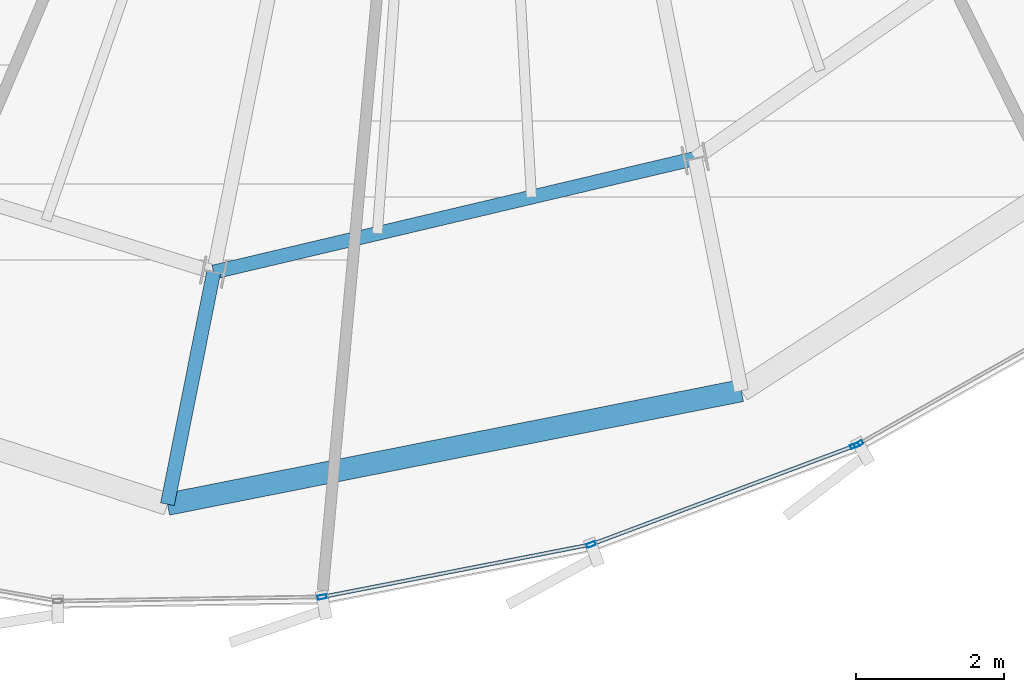
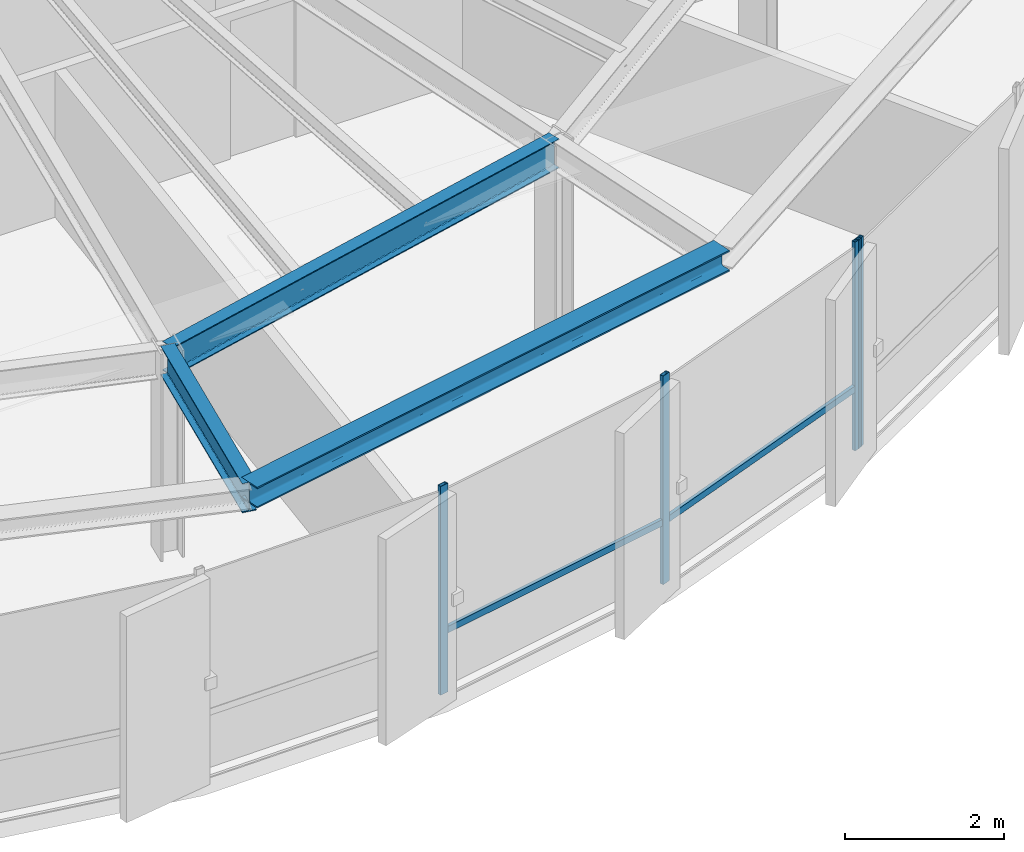
# One storey, part 6 of 33: 6 members, 3 beams, 2 elements without a shape of their own.
"""IFC4 building model written with IfcOpenShell, lengths in metres."""

from ifc_helpers import new_model, si_unit, direction, frame, origin, origin_2d, place, context, subcontext, project, spatial, hollow_rectangle, i_section, extrude, source, transform, mapped, material, layer, layer_set, material_profile, profile_set, type_object, element, aggregate, save


model = new_model("IFC4")

# Units and contexts
model_context = context("Model", 3, precision=1e-05, world=origin(), true_north=direction((0.0, 1.0)))
body_context = subcontext(model_context, "Body", "Model", "MODEL_VIEW")
ifc_project = project(units=[si_unit("LENGTHUNIT", "METRE"), si_unit("AREAUNIT", "SQUARE_METRE"), si_unit("VOLUMEUNIT", "CUBIC_METRE"), si_unit("PLANEANGLEUNIT", "RADIAN"), si_unit("MASSUNIT", "GRAM", prefix="KILO"), si_unit("THERMODYNAMICTEMPERATUREUNIT", "KELVIN")], contexts=[model_context])

# Site, building, storey
site_placement = place(None, origin())
site = spatial("IfcSite", under=ifc_project, at=site_placement, CompositionType="ELEMENT")
building_placement = place(site_placement, origin())
building = spatial("IfcBuilding", under=site, at=building_placement, Name="Kethvar Cultural Tower", CompositionType="ELEMENT")
storey_placement = place(building_placement, frame((0.0, 0.0, 238.75)))
storey = spatial("IfcBuildingStorey", under=building, at=storey_placement, Name="L62", CompositionType="ELEMENT", Elevation=238.75)

# Beams
ifc_material_1 = material(Name="Steel S355J2", Category="steel")
ifc_material_profile_1 = material_profile(ifc_material_1, i_section(OverallWidth=0.18994140625, OverallDepth=0.449951171875, WebThickness=0.009521484375, FlangeThickness=0.0146484375, FilletRadius=0.02099609375, at=origin_2d()), Name="Steel S355J2 — IPE450")
ifc_profile_set_1 = profile_set([ifc_material_profile_1], Name="Steel S355J2 — IPE450")
beam_type_1 = type_object("IfcBeamType", Name="BM-IPE450", PredefinedType="BEAM", material=ifc_profile_set_1)
shared_shape_1 = source(origin(), body_context, "Body", "SweptSolid", [
    extrude(i_section(OverallWidth=0.18994140625, OverallDepth=0.449951171875, WebThickness=0.009521484375, FlangeThickness=0.0146484375, FilletRadius=0.02099609375, at=origin_2d()), origin(), (0.0, 0.0, 1.0), 3.2001953125),
])
beam_1_placement = place(storey_placement, frame((43.392822265625, 10.67138671875, 2.98291015625), z_axis=(-0.195074368086, -0.980788453702, 0.0), x_axis=(0.980788453702, -0.195074368086, 0.0)))
element("IfcBeam", 1, at=beam_1_placement, inside=storey, type_object=beam_type_1, Name="L62 Perimeter Cantilever Beam RC-12", PredefinedType="BEAM", context=body_context, shape_type="MappedRepresentation", body=[
    mapped(shared_shape_1, transform((0.0, 0.0, 0.0), scale=1.0)),
])
shared_shape_2 = source(origin(), body_context, "Body", "SweptSolid", [
    extrude(i_section(OverallWidth=0.18994140625, OverallDepth=0.449951171875, WebThickness=0.009521484375, FlangeThickness=0.0146484375, FilletRadius=0.02099609375, at=origin_2d()), origin(), (0.0, 0.0, 1.0), 6.6875),
])
beam_2_placement = place(storey_placement, frame((43.392822265625, 10.67138671875, 2.98291015625), z_axis=(0.973286301494, 0.22959480683, 0.0), x_axis=(-0.22959480683, 0.973286301494, 0.0)))
element("IfcBeam", 2, at=beam_2_placement, inside=storey, type_object=beam_type_1, Name="L62 Column Ring Tie Beam CR-12", PredefinedType="BEAM", context=body_context, shape_type="MappedRepresentation", body=[
    mapped(shared_shape_2, transform((0.0, 0.0, 0.0), scale=1.0)),
])
ifc_material_profile_2 = material_profile(ifc_material_1, i_section(OverallWidth=0.300048828125, OverallDepth=0.320068359375, WebThickness=0.011474609375, FlangeThickness=0.0205078125, FilletRadius=0.027099609375, at=origin_2d()), Name="Steel S355J2 — HEB320")
ifc_profile_set_2 = profile_set([ifc_material_profile_2], Name="Steel S355J2 — HEB320")
beam_type_2 = type_object("IfcBeamType", Name="BM-SP320", PredefinedType="SPANDREL", material=ifc_profile_set_2)
shared_shape_3 = source(origin(), body_context, "Body", "SweptSolid", [
    extrude(i_section(OverallWidth=0.300048828125, OverallDepth=0.320068359375, WebThickness=0.011474609375, FlangeThickness=0.0205078125, FilletRadius=0.027099609375, at=origin_2d()), origin(), (0.0, 0.0, 1.0), 7.907958984375),
])
beam_3_placement = place(storey_placement, frame((42.7685546875, 7.53271484375, 3.048095703125), z_axis=(0.980963515828, 0.194192122948, 0.0), x_axis=(-0.194192122948, 0.980963515828, 0.0)))
element("IfcBeam", 3, at=beam_3_placement, inside=storey, type_object=beam_type_2, Name="L62 Perimeter Spandrel Beam SP-12", PredefinedType="SPANDREL", context=body_context, shape_type="MappedRepresentation", body=[
    mapped(shared_shape_3, transform((0.0, 0.0, 0.0), scale=1.0)),
])

# Curtain wall, members
ifc_material_2 = material(Name="Aluminium 6063-T6", Category="aluminium")
ifc_layer = layer(ifc_material_2, 0.179931640625, Name="Aluminium 6063-T6", Category="aluminium")
ifc_layer_set = layer_set([ifc_layer], Name="Aluminium 6063-T6 (180 mm)")
curtain_wall_type = type_object("IfcCurtainWallType", Name="CW-SYS-05-Z56", PredefinedType="NOTDEFINED", material=ifc_layer_set)
curtain_wall_1_placement = place(storey_placement, origin())
curtain_wall_1 = element("IfcCurtainWall", 4, at=curtain_wall_1_placement, inside=storey, type_object=curtain_wall_type, Name="L62 Curtain Wall Run 04", PredefinedType="NOTDEFINED")
ifc_material_profile_3 = material_profile(ifc_material_2, hollow_rectangle(XDim=0.054931640625, YDim=0.1201171875, WallThickness=0.00390625, at=origin_2d()), Name="Aluminium 6063-T6 — RHS120x55x4")
ifc_profile_set_3 = profile_set([ifc_material_profile_3], Name="Aluminium 6063-T6 — RHS120x55x4")
member_type_1 = type_object("IfcMemberType", Name="CW-SYS-05-Z56-MUL", PredefinedType="MULLION", material=ifc_profile_set_3)
shared_shape_4 = source(origin(), body_context, "Body", "SweptSolid", [
    extrude(hollow_rectangle(XDim=0.054931640625, YDim=0.1201171875, WallThickness=0.00390625, at=origin_2d()), origin(), (0.0, 0.0, 1.0), 3.2099609375),
])
member_1_placement = place(storey_placement, frame((44.860107421875, 6.279541015625, 0.0), z_axis=(0.0, 0.0, 1.0), x_axis=(-0.191785460497, 0.981436873743, 0.0)))
member_1 = element("IfcMember", 5, at=member_1_placement, type_object=member_type_1, Name="CW-L62-R04 Mullion 5", PredefinedType="MULLION", context=body_context, shape_type="MappedRepresentation", body=[
    mapped(shared_shape_4, transform((0.0, 0.0, 0.0), scale=1.0)),
])
member_2_placement = place(storey_placement, frame((48.49560546875, 6.988525390625, 0.0), z_axis=(0.0, 0.0, 1.0), x_axis=(-0.350910247158, 0.936409097798, 0.0)))
member_2 = element("IfcMember", 6, at=member_2_placement, type_object=member_type_1, Name="CW-L62-R04 Mullion 6", PredefinedType="MULLION", context=body_context, shape_type="MappedRepresentation", body=[
    mapped(shared_shape_4, transform((0.0, 0.0, 0.0), scale=1.0)),
])
member_3_placement = place(storey_placement, frame((52.060791015625, 8.32470703125, 0.0), z_axis=(0.0, 0.0, 1.0), x_axis=(-0.350910247158, 0.936409097798, 0.0)))
member_3 = element("IfcMember", 7, at=member_3_placement, type_object=member_type_1, Name="CW-L62-R04 Mullion 7", PredefinedType="MULLION", context=body_context, shape_type="MappedRepresentation", body=[
    mapped(shared_shape_4, transform((0.0, 0.0, 0.0), scale=1.0)),
])

# Curtain wall, member
curtain_wall_2_placement = place(storey_placement, origin())
curtain_wall_2 = element("IfcCurtainWall", 8, at=curtain_wall_2_placement, inside=storey, type_object=curtain_wall_type, Name="L62 Curtain Wall Run 05", PredefinedType="NOTDEFINED")
member_4_placement = place(storey_placement, frame((52.111328125, 8.34814453125, 0.0), z_axis=(0.0, 0.0, 1.0), x_axis=(-0.492119718658, 0.87052753116, 0.0)))
member_4 = element("IfcMember", 9, at=member_4_placement, type_object=member_type_1, Name="CW-L62-R05 Mullion 1", PredefinedType="MULLION", context=body_context, shape_type="MappedRepresentation", body=[
    mapped(shared_shape_4, transform((0.0, 0.0, 0.0), scale=1.0)),
])
aggregate(curtain_wall_2, [member_4])

# Member
ifc_material_profile_4 = material_profile(ifc_material_2, hollow_rectangle(XDim=0.050048828125, YDim=0.10009765625, WallThickness=0.00390625, at=origin_2d()), Name="Aluminium 6063-T6 — RHS100x50x4")
ifc_profile_set_4 = profile_set([ifc_material_profile_4], Name="Aluminium 6063-T6 — RHS100x50x4")
member_type_2 = type_object("IfcMemberType", Name="CW-SYS-05-Z56-TRN", PredefinedType="USERDEFINED", material=ifc_profile_set_4)
shared_shape_5 = source(origin(), body_context, "Body", "SweptSolid", [
    extrude(hollow_rectangle(XDim=0.050048828125, YDim=0.10009765625, WallThickness=0.00390625, at=origin_2d()), origin(), (0.0, 0.0, 1.0), 3.763671875),
])
member_5_placement = place(storey_placement, frame((48.53271484375, 7.00244140625, 0.949951171875), z_axis=(0.9364037966, 0.350924393157, 0.0), x_axis=(-0.350924393157, 0.9364037966, 0.0)))
member_5 = element("IfcMember", 10, at=member_5_placement, type_object=member_type_2, Name="CW-L62-R04 Transom 6", ObjectType="TRANSOM", PredefinedType="USERDEFINED", context=body_context, shape_type="MappedRepresentation", body=[
    mapped(shared_shape_5, transform((0.0, 0.0, 0.0), scale=1.0)),
])

shared_shape_6 = source(origin(), body_context, "Body", "SweptSolid", [
    extrude(hollow_rectangle(XDim=0.050048828125, YDim=0.10009765625, WallThickness=0.00390625, at=origin_2d()), origin(), (0.0, 0.0, 1.0), 3.641357421875),
])
member_6_placement = place(storey_placement, frame((44.89892578125, 6.287109375, 0.949951171875), z_axis=(0.981442609746, 0.191756104924, 0.0), x_axis=(-0.191756104924, 0.981442609746, 0.0)))
member_6 = element("IfcMember", 11, at=member_6_placement, type_object=member_type_2, Name="CW-L62-R04 Transom 5", ObjectType="TRANSOM", PredefinedType="USERDEFINED", context=body_context, shape_type="MappedRepresentation", body=[
    mapped(shared_shape_6, transform((0.0, 0.0, 0.0), scale=1.0)),
])

aggregate(curtain_wall_1, [member_1, member_2, member_3, member_6, member_5])

save(model, "model.ifc")
